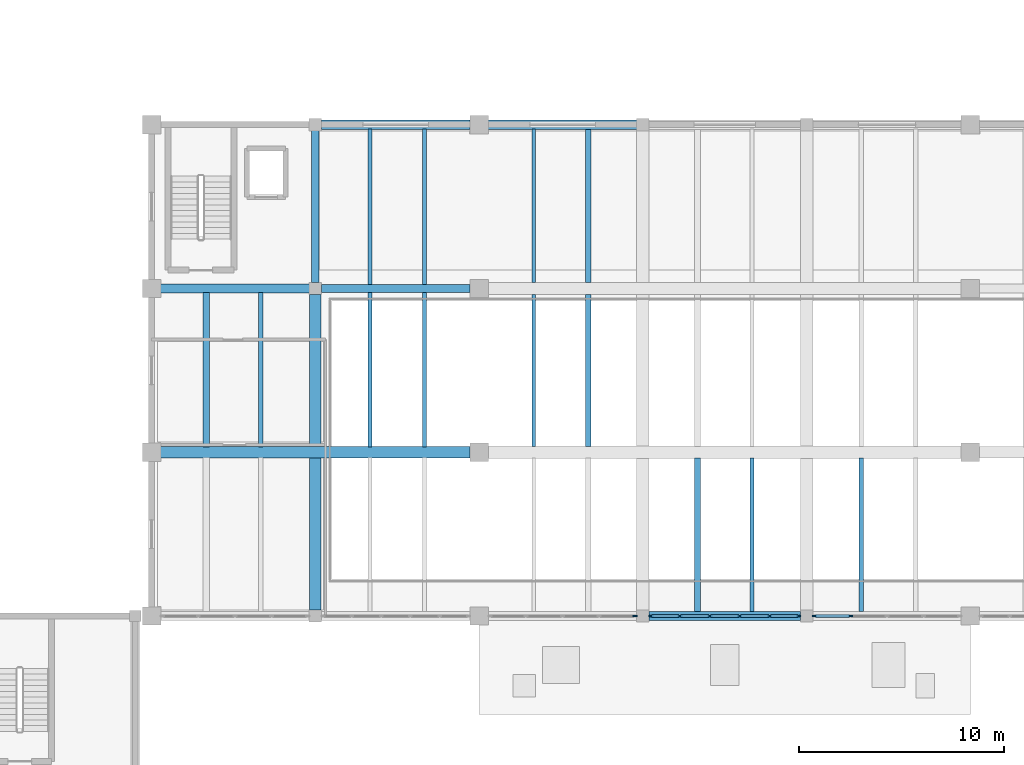
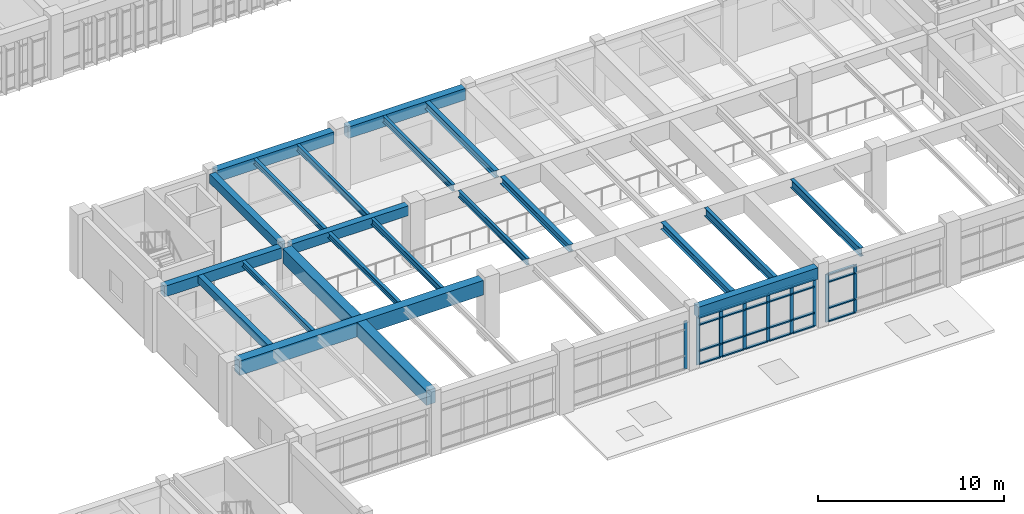
# One storey, part 11 of 67: 33 members, 21 beams, 3 elements without a shape of their own.
"""IFC4 building model written with IfcOpenShell, lengths in metres."""

import ifcopenshell
import ifcopenshell.guid

model = None  # the IFC model being written
_history = None  # IfcOwnerHistory: only IFC2X3 demands one
_inside = {}  # id of a spatial element -> (the spatial element, [elements in it])
_under = {}  # id of a project, library or spatial element -> (it, [spatial elements below it])
_declared = {}  # id of a project -> (the project, [libraries it declares])
_typed = {}  # id of a type object -> (the type object, [elements of that type])
_made_of = {}  # id of a material, layer set ... -> (it, [elements and type objects made of it])


def new_model(schema):
    """Start an empty IFC model of exactly this schema.

    Asked for "IFC4X3", IfcOpenShell would pick the latest addendum, in which some entities
    have other attributes; the version numbers below select the first issue.
    IFC2X3 requires an IfcOwnerHistory on every rooted entity: one is made here for all.
    """
    global model, _history
    if schema == "IFC4X3":
        model = ifcopenshell.file(schema_version=(4, 3, 0, 0))
    else:
        model = ifcopenshell.file(schema=schema)
    _inside.clear()
    _under.clear()
    _declared.clear()
    _typed.clear()
    _made_of.clear()
    _history = None
    if model.schema == "IFC2X3":
        org = make("IfcOrganization", Name="unknown")
        user = make(
            "IfcPersonAndOrganization",
            ThePerson=make("IfcPerson", FamilyName="unknown"),
            TheOrganization=org,
        )
        app = make(
            "IfcApplication",
            ApplicationDeveloper=org,
            Version="unknown",
            ApplicationFullName="unknown",
            ApplicationIdentifier="unknown",
        )
        _history = make(
            "IfcOwnerHistory",
            OwningUser=user,
            OwningApplication=app,
            ChangeAction="ADDED",
            CreationDate=0,
        )
    return model


def make(cls, **values):
    """One entity of the class cls with the attributes given. An attribute that is None is left unset."""
    return model.create_entity(
        cls, **{name: value for name, value in values.items() if value is not None}
    )


def rooted(cls, **values):
    """An entity with a GlobalId (a new one), such as an element, a storey or a relation."""
    return make(cls, GlobalId=ifcopenshell.guid.new(), OwnerHistory=_history, **values)


def si_unit(unit_type, name, prefix=None):
    """IfcSIUnit, for example si_unit("LENGTHUNIT", "METRE", prefix="MILLI")."""
    return make("IfcSIUnit", UnitType=unit_type, Prefix=prefix, Name=name)


def assignment(units):
    """IfcUnitAssignment: the units of a project."""
    return None if units is None else make("IfcUnitAssignment", Units=units)


def point(xyz):
    """IfcCartesianPoint."""
    return None if xyz is None else make("IfcCartesianPoint", Coordinates=xyz)


def direction(xyz):
    """IfcDirection."""
    return None if xyz is None else make("IfcDirection", DirectionRatios=xyz)


def frame(location, z_axis=None, x_axis=None):
    """IfcAxis2Placement3D, a coordinate frame: its origin and axes. An axis left out is left unset."""
    return make(
        "IfcAxis2Placement3D",
        Location=point(location),
        Axis=direction(z_axis),
        RefDirection=direction(x_axis),
    )


def frame_2d(location, x_axis=None):
    """IfcAxis2Placement2D, a coordinate frame in the plane: its origin and x axis."""
    return make(
        "IfcAxis2Placement2D", Location=point(location), RefDirection=direction(x_axis)
    )


def origin():
    """The frame at (0, 0, 0) with its axes left unset."""
    return frame((0.0, 0.0, 0.0))


def origin_2d():
    """The frame at (0, 0) in the plane with its x axis left unset."""
    return frame_2d((0.0, 0.0))


def place(relative_to, where):
    """IfcLocalPlacement: puts the frame where relative to a parent placement (None: the world)."""
    return make(
        "IfcLocalPlacement", PlacementRelTo=relative_to, RelativePlacement=where
    )


def context(
    kind, dimensions, precision=None, world=None, true_north=None, identifier=None
):
    """IfcGeometricRepresentationContext, for example the 3D "Model" context."""
    return make(
        "IfcGeometricRepresentationContext",
        ContextIdentifier=identifier,
        ContextType=kind,
        CoordinateSpaceDimension=dimensions,
        Precision=precision,
        WorldCoordinateSystem=world,
        TrueNorth=true_north,
    )


def subcontext(parent, identifier, kind, view, scale=None):
    """IfcGeometricRepresentationSubContext, for example "Body" below "Model"."""
    return make(
        "IfcGeometricRepresentationSubContext",
        ContextIdentifier=identifier,
        ContextType=kind,
        ParentContext=parent,
        TargetScale=scale,
        TargetView=view,
    )


def project(units=None, contexts=None):
    """IfcProject with its units and contexts."""
    return rooted(
        "IfcProject",
        Name="project",
        RepresentationContexts=contexts,
        UnitsInContext=assignment(units),
    )


def spatial(cls, under=None, at=None, **own):
    """A site, building, storey or space (cls), placed at a placement, below another one or the project."""
    s = rooted(cls, ObjectPlacement=at, **own)
    if under is not None:
        _under.setdefault(under.id(), (under, []))[1].append(s)
    return s


def profile(cls, at=None, kind="AREA", **sizes):
    """A parametric profile (cls). Its sizes go by their IFC names, for example OverallWidth=200.0."""
    return make(cls, ProfileType=kind, Position=at, **sizes)


def rectangle(**sizes):
    """IfcRectangleProfileDef."""
    return profile("IfcRectangleProfileDef", **sizes)


def i_section(**sizes):
    """IfcIShapeProfileDef."""
    return profile("IfcIShapeProfileDef", **sizes)


def extrude(swept, where, along, depth):
    """IfcExtrudedAreaSolid: the profile swept, set in the frame where, extruded along a direction by depth."""
    return make(
        "IfcExtrudedAreaSolid",
        SweptArea=swept,
        Position=where,
        ExtrudedDirection=direction(along),
        Depth=depth,
    )


def shape(context_of_items, identifier, shape_type, items):
    """IfcShapeRepresentation: the items that make up one representation, for example the "Body"."""
    return make(
        "IfcShapeRepresentation",
        ContextOfItems=context_of_items,
        RepresentationIdentifier=identifier,
        RepresentationType=shape_type,
        Items=items,
    )


def material(Name=None, Category=None):
    """IfcMaterial."""
    return make("IfcMaterial", Name=Name, Category=Category)


def material_profile(
    of_material, cross_section, Name=None, Category=None, Priority=None
):
    """IfcMaterialProfile: a cross section and its material."""
    return make(
        "IfcMaterialProfile",
        Name=Name,
        Material=of_material,
        Profile=cross_section,
        Priority=Priority,
        Category=Category,
    )


def profile_set(profiles, Name=None, composite=None):
    """IfcMaterialProfileSet."""
    return make(
        "IfcMaterialProfileSet",
        Name=Name,
        MaterialProfiles=profiles,
        CompositeProfile=composite,
    )


def made_of(thing, what):
    """Note that an element or type object is made of a material, layer set ...; save() writes the relation."""
    if what is not None:
        _made_of.setdefault(what.id(), (what, []))[1].append(thing)
    return thing


def type_object(cls, material=None, **own):
    """A type object (cls), such as IfcWallType, which elements share."""
    return made_of(rooted(cls, **own), material)


def element(
    cls,
    number,
    at=None,
    inside=None,
    cuts=None,
    type_object=None,
    material=None,
    context=None,
    identifier="Body",
    shape_type=None,
    held_by="IfcProductDefinitionShape",
    body=None,
    shapes=None,
    **own,
):
    """One element of the class cls, such as IfcWall. Its Tag is "e" and its number.

    at: its placement. inside: the storey or other place that contains it. cuts: it is an
    opening in that element (IfcRelVoidsElement). A single representation is given by context,
    identifier, shape_type and body (its items); several are given by shapes. held_by: the class
    of the entity that holds the representations. save() writes the other relations.
    """
    e = rooted(cls, Tag="e%d" % number, ObjectPlacement=at, **own)
    if body is not None:
        shapes = [shape(context, identifier, shape_type, body)]
    if shapes is not None:
        e.Representation = make(held_by, Representations=shapes)
    if inside is not None:
        _inside.setdefault(inside.id(), (inside, []))[1].append(e)
    if cuts is not None:
        rooted(
            "IfcRelVoidsElement", RelatingBuildingElement=cuts, RelatedOpeningElement=e
        )
    if type_object is not None:
        _typed.setdefault(type_object.id(), (type_object, []))[1].append(e)
    return made_of(e, material)


def aggregate(whole, parts):
    """IfcRelAggregates: a whole, such as a stair, and the parts it consists of."""
    return rooted("IfcRelAggregates", RelatingObject=whole, RelatedObjects=parts)


def save(model, path):
    """Write the relations noted so far, then the file.

    IfcRelAggregates (storeys below a building ...), IfcRelContainedInSpatialStructure (elements
    in a storey), IfcRelDefinesByType, IfcRelAssociatesMaterial and IfcRelDeclares: one each for
    every whole, place, type object, material and project.
    """
    for whole, parts in _under.values():
        aggregate(whole, parts)
    for where, things in _inside.values():
        rooted(
            "IfcRelContainedInSpatialStructure",
            RelatedElements=things,
            RelatingStructure=where,
        )
    for kind, things in _typed.values():
        rooted("IfcRelDefinesByType", RelatedObjects=things, RelatingType=kind)
    for what, things in _made_of.values():
        rooted("IfcRelAssociatesMaterial", RelatedObjects=things, RelatingMaterial=what)
    for by, libraries in _declared.values():
        rooted("IfcRelDeclares", RelatingContext=by, RelatedDefinitions=libraries)
    model.write(path)


model = new_model("IFC4")

# Units and contexts
model_context = context("Model", 3, precision=1e-05, world=origin(), true_north=direction((0.0, 1.0)))
body_context = subcontext(model_context, "Body", "Model", "MODEL_VIEW")
ifc_project = project(units=[si_unit("LENGTHUNIT", "METRE"), si_unit("AREAUNIT", "SQUARE_METRE"), si_unit("VOLUMEUNIT", "CUBIC_METRE"), si_unit("PLANEANGLEUNIT", "RADIAN"), si_unit("MASSUNIT", "GRAM", prefix="KILO")], contexts=[model_context])

# Site, building, storey
site_placement = place(None, origin())
site = spatial("IfcSite", under=ifc_project, at=site_placement, CompositionType="ELEMENT")
building_placement = place(site_placement, origin())
building = spatial("IfcBuilding", under=site, at=building_placement, Name="Tlaxcora Railside Police Headquarters", CompositionType="ELEMENT")
storey_placement = place(building_placement, frame((0.0, 0.0, 4.800048828125)))
storey = spatial("IfcBuildingStorey", under=building, at=storey_placement, Name="L01", CompositionType="ELEMENT", Elevation=4.800048828125)

# Curtain wall, members
ifc_material_1 = material(Name="Thermally broken low-E insulated glazing", Category="glass")
curtain_wall_type_1 = type_object("IfcCurtainWallType", Name="Unitised Curtain Wall Assembly CW-23", PredefinedType="NOTDEFINED", material=ifc_material_1)
curtain_wall_1_placement = place(storey_placement, origin())
curtain_wall_1 = element("IfcCurtainWall", 1, at=curtain_wall_1_placement, inside=storey, type_object=curtain_wall_type_1, Name="V1 L01 curtain wall 8", PredefinedType="NOTDEFINED")
ifc_material_2 = material(Name="Anodised aluminium framing", Category="aluminium")
ifc_material_profile_1 = material_profile(ifc_material_2, rectangle(XDim=0.080078125, YDim=0.219970703125, at=origin_2d()), Name="AL80X220")
ifc_profile_set_1 = profile_set([ifc_material_profile_1], Name="Anodised aluminium framing")
member_type_1 = type_object("IfcMemberType", Name="Curtain Wall Mullion CW-31", PredefinedType="MULLION", material=ifc_profile_set_1)
member_1_placement = place(storey_placement, frame((70.389892578125, 36.0, 0.0), z_axis=(0.0, 0.0, 1.0), x_axis=(0.0, 1.0, 0.0)))
member_1 = element("IfcMember", 2, at=member_1_placement, type_object=member_type_1, Name="CW mullion 1", PredefinedType="MULLION", context=body_context, shape_type="SweptSolid", body=[
    extrude(rectangle(XDim=0.080078125, YDim=0.219970703125, at=origin_2d()), origin(), (0.0, 0.0, 1.0), 3.139892578125),
])
member_2_placement = place(storey_placement, frame((71.81005859375, 36.0, 0.0), z_axis=(0.0, 0.0, 1.0), x_axis=(0.0, 1.0, 0.0)))
member_2 = element("IfcMember", 3, at=member_2_placement, type_object=member_type_1, Name="CW mullion 2", PredefinedType="MULLION", context=body_context, shape_type="SweptSolid", body=[
    extrude(rectangle(XDim=0.080078125, YDim=0.219970703125, at=origin_2d()), origin(), (0.0, 0.0, 1.0), 3.139892578125),
])
member_3_placement = place(storey_placement, frame((73.27001953125, 36.0, 0.0), z_axis=(0.0, 0.0, 1.0), x_axis=(0.0, 1.0, 0.0)))
member_3 = element("IfcMember", 4, at=member_3_placement, type_object=member_type_1, Name="CW mullion 3", PredefinedType="MULLION", context=body_context, shape_type="SweptSolid", body=[
    extrude(rectangle(XDim=0.080078125, YDim=0.219970703125, at=origin_2d()), origin(), (0.0, 0.0, 1.0), 3.139892578125),
])
member_4_placement = place(storey_placement, frame((74.72998046875, 36.0, 0.0), z_axis=(0.0, 0.0, 1.0), x_axis=(0.0, 1.0, 0.0)))
member_4 = element("IfcMember", 5, at=member_4_placement, type_object=member_type_1, Name="CW mullion 4", PredefinedType="MULLION", context=body_context, shape_type="SweptSolid", body=[
    extrude(rectangle(XDim=0.080078125, YDim=0.219970703125, at=origin_2d()), origin(), (0.0, 0.0, 1.0), 3.139892578125),
])
member_5_placement = place(storey_placement, frame((76.18994140625, 36.0, 0.0), z_axis=(0.0, 0.0, 1.0), x_axis=(0.0, 1.0, 0.0)))
member_5 = element("IfcMember", 6, at=member_5_placement, type_object=member_type_1, Name="CW mullion 5", PredefinedType="MULLION", context=body_context, shape_type="SweptSolid", body=[
    extrude(rectangle(XDim=0.080078125, YDim=0.219970703125, at=origin_2d()), origin(), (0.0, 0.0, 1.0), 3.139892578125),
])
member_6_placement = place(storey_placement, frame((77.610107421875, 36.0, 0.0), z_axis=(0.0, 0.0, 1.0), x_axis=(0.0, 1.0, 0.0)))
member_6 = element("IfcMember", 7, at=member_6_placement, type_object=member_type_1, Name="CW mullion 6", PredefinedType="MULLION", context=body_context, shape_type="SweptSolid", body=[
    extrude(rectangle(XDim=0.080078125, YDim=0.219970703125, at=origin_2d()), origin(), (0.0, 0.0, 1.0), 3.139892578125),
])

curtain_wall_type_2 = type_object("IfcCurtainWallType", Name="Unitised Curtain Wall Assembly CW-38", PredefinedType="NOTDEFINED", material=ifc_material_1)
curtain_wall_2_placement = place(storey_placement, origin())
curtain_wall_2 = element("IfcCurtainWall", 8, at=curtain_wall_2_placement, inside=storey, type_object=curtain_wall_type_2, Name="V1 L01 curtain wall 9", PredefinedType="NOTDEFINED")
ifc_material_profile_2 = material_profile(ifc_material_2, rectangle(XDim=0.074951171875, YDim=0.205078125, at=origin_2d()), Name="AL75X205")
ifc_profile_set_2 = profile_set([ifc_material_profile_2], Name="Anodised aluminium framing")
member_type_2 = type_object("IfcMemberType", Name="Curtain Wall Mullion CW-32", PredefinedType="MULLION", material=ifc_profile_set_2)
member_7_placement = place(storey_placement, frame((78.387451171875, 36.0, 0.0), z_axis=(0.0, 0.0, 1.0), x_axis=(0.0, 1.0, 0.0)))
member_7 = element("IfcMember", 9, at=member_7_placement, type_object=member_type_2, Name="CW mullion 1", PredefinedType="MULLION", context=body_context, shape_type="SweptSolid", body=[
    extrude(rectangle(XDim=0.074951171875, YDim=0.205078125, at=origin_2d()), origin(), (0.0, 0.0, 1.0), 3.139892578125),
])
member_8_placement = place(storey_placement, frame((80.137451171875, 36.0, 0.0), z_axis=(0.0, 0.0, 1.0), x_axis=(0.0, 1.0, 0.0)))
member_8 = element("IfcMember", 10, at=member_8_placement, type_object=member_type_2, Name="CW mullion 2", PredefinedType="MULLION", context=body_context, shape_type="SweptSolid", body=[
    extrude(rectangle(XDim=0.074951171875, YDim=0.205078125, at=origin_2d()), origin(), (0.0, 0.0, 1.0), 3.139892578125),
])

# Curtain wall, member
curtain_wall_type_3 = type_object("IfcCurtainWallType", Name="Unitised Curtain Wall Assembly CW-83", PredefinedType="NOTDEFINED", material=ifc_material_1)
curtain_wall_3_placement = place(storey_placement, origin())
curtain_wall_3 = element("IfcCurtainWall", 11, at=curtain_wall_3_placement, inside=storey, type_object=curtain_wall_type_3, Name="V1 L01 curtain wall 7", PredefinedType="NOTDEFINED")
ifc_material_profile_3 = material_profile(ifc_material_2, rectangle(XDim=0.080078125, YDim=0.2099609375, at=origin_2d()), Name="AL80X210")
ifc_profile_set_3 = profile_set([ifc_material_profile_3], Name="Anodised aluminium framing")
member_type_3 = type_object("IfcMemberType", Name="Curtain Wall Mullion CW-76", PredefinedType="MULLION", material=ifc_profile_set_3)
member_9_placement = place(storey_placement, frame((69.610107421875, 36.0, 0.0), z_axis=(0.0, 0.0, 1.0), x_axis=(0.0, 1.0, 0.0)))
member_9 = element("IfcMember", 12, at=member_9_placement, type_object=member_type_3, Name="CW mullion 5", PredefinedType="MULLION", context=body_context, shape_type="SweptSolid", body=[
    extrude(rectangle(XDim=0.080078125, YDim=0.2099609375, at=origin_2d()), origin(), (0.0, 0.0, 1.0), 3.139892578125),
])
aggregate(curtain_wall_3, [member_9])

# Member
ifc_material_profile_4 = material_profile(ifc_material_2, rectangle(XDim=0.155029296875, YDim=0.074951171875, at=origin_2d()), Name="AL75X155")
ifc_profile_set_4 = profile_set([ifc_material_profile_4], Name="Anodised aluminium framing")
member_type_4 = type_object("IfcMemberType", Name="Curtain Wall Transom CW-30", PredefinedType="USERDEFINED", material=ifc_profile_set_4)
member_10_placement = place(storey_placement, frame((78.425048828125, 36.0, 0.037353515625), z_axis=(1.0, 0.0, 0.0), x_axis=(0.0, 1.0, 0.0)))
member_10 = element("IfcMember", 13, at=member_10_placement, type_object=member_type_4, Name="CW transom 1.1", ObjectType="TRANSOM", PredefinedType="USERDEFINED", context=body_context, shape_type="SweptSolid", body=[
    extrude(rectangle(XDim=0.155029296875, YDim=0.074951171875, at=origin_2d()), origin(), (0.0, 0.0, 1.0), 1.675048828125),
])

member_11_placement = place(storey_placement, frame((78.425048828125, 36.0, 0.89990234375), z_axis=(1.0, 0.0, 0.0), x_axis=(0.0, 1.0, 0.0)))
member_11 = element("IfcMember", 14, at=member_11_placement, type_object=member_type_4, Name="CW transom 1.2", ObjectType="TRANSOM", PredefinedType="USERDEFINED", context=body_context, shape_type="SweptSolid", body=[
    extrude(rectangle(XDim=0.155029296875, YDim=0.074951171875, at=origin_2d()), origin(), (0.0, 0.0, 1.0), 1.675048828125),
])

member_12_placement = place(storey_placement, frame((78.425048828125, 36.0, 2.60986328125), z_axis=(1.0, 0.0, 0.0), x_axis=(0.0, 1.0, 0.0)))
member_12 = element("IfcMember", 15, at=member_12_placement, type_object=member_type_4, Name="CW transom 1.3", ObjectType="TRANSOM", PredefinedType="USERDEFINED", context=body_context, shape_type="SweptSolid", body=[
    extrude(rectangle(XDim=0.155029296875, YDim=0.074951171875, at=origin_2d()), origin(), (0.0, 0.0, 1.0), 1.675048828125),
])

member_13_placement = place(storey_placement, frame((78.425048828125, 36.0, 3.1025390625), z_axis=(1.0, 0.0, 0.0), x_axis=(0.0, 1.0, 0.0)))
member_13 = element("IfcMember", 16, at=member_13_placement, type_object=member_type_4, Name="CW transom 1.4", ObjectType="TRANSOM", PredefinedType="USERDEFINED", context=body_context, shape_type="SweptSolid", body=[
    extrude(rectangle(XDim=0.155029296875, YDim=0.074951171875, at=origin_2d()), origin(), (0.0, 0.0, 1.0), 1.675048828125),
])

aggregate(curtain_wall_2, [member_7, member_8, member_10, member_11, member_12, member_13])

ifc_material_profile_5 = material_profile(ifc_material_2, rectangle(XDim=0.1650390625, YDim=0.080078125, at=origin_2d()), Name="AL80X165")
ifc_profile_set_5 = profile_set([ifc_material_profile_5], Name="Anodised aluminium framing")
member_type_5 = type_object("IfcMemberType", Name="Curtain Wall Transom CW-62", PredefinedType="USERDEFINED", material=ifc_profile_set_5)
member_14_placement = place(storey_placement, frame((70.429931640625, 36.0, 0.0400390625), z_axis=(1.0, 0.0, 0.0), x_axis=(0.0, 1.0, 0.0)))
member_14 = element("IfcMember", 17, at=member_14_placement, type_object=member_type_5, Name="CW transom 1.1", ObjectType="TRANSOM", PredefinedType="USERDEFINED", context=body_context, shape_type="SweptSolid", body=[
    extrude(rectangle(XDim=0.1650390625, YDim=0.080078125, at=origin_2d()), origin(), (0.0, 0.0, 1.0), 1.340087890625),
])

member_15_placement = place(storey_placement, frame((70.429931640625, 36.0, 0.89990234375), z_axis=(1.0, 0.0, 0.0), x_axis=(0.0, 1.0, 0.0)))
member_15 = element("IfcMember", 18, at=member_15_placement, type_object=member_type_5, Name="CW transom 1.2", ObjectType="TRANSOM", PredefinedType="USERDEFINED", context=body_context, shape_type="SweptSolid", body=[
    extrude(rectangle(XDim=0.1650390625, YDim=0.080078125, at=origin_2d()), origin(), (0.0, 0.0, 1.0), 1.340087890625),
])

member_16_placement = place(storey_placement, frame((70.429931640625, 36.0, 2.60986328125), z_axis=(1.0, 0.0, 0.0), x_axis=(0.0, 1.0, 0.0)))
member_16 = element("IfcMember", 19, at=member_16_placement, type_object=member_type_5, Name="CW transom 1.3", ObjectType="TRANSOM", PredefinedType="USERDEFINED", context=body_context, shape_type="SweptSolid", body=[
    extrude(rectangle(XDim=0.1650390625, YDim=0.080078125, at=origin_2d()), origin(), (0.0, 0.0, 1.0), 1.340087890625),
])

member_17_placement = place(storey_placement, frame((70.429931640625, 36.0, 3.099853515625), z_axis=(1.0, 0.0, 0.0), x_axis=(0.0, 1.0, 0.0)))
member_17 = element("IfcMember", 20, at=member_17_placement, type_object=member_type_5, Name="CW transom 1.4", ObjectType="TRANSOM", PredefinedType="USERDEFINED", context=body_context, shape_type="SweptSolid", body=[
    extrude(rectangle(XDim=0.1650390625, YDim=0.080078125, at=origin_2d()), origin(), (0.0, 0.0, 1.0), 1.340087890625),
])

member_18_placement = place(storey_placement, frame((71.85009765625, 36.0, 0.0400390625), z_axis=(1.0, 0.0, 0.0), x_axis=(0.0, 1.0, 0.0)))
member_18 = element("IfcMember", 21, at=member_18_placement, type_object=member_type_5, Name="CW transom 2.1", ObjectType="TRANSOM", PredefinedType="USERDEFINED", context=body_context, shape_type="SweptSolid", body=[
    extrude(rectangle(XDim=0.1650390625, YDim=0.080078125, at=origin_2d()), origin(), (0.0, 0.0, 1.0), 1.3798828125),
])

member_19_placement = place(storey_placement, frame((71.85009765625, 36.0, 0.89990234375), z_axis=(1.0, 0.0, 0.0), x_axis=(0.0, 1.0, 0.0)))
member_19 = element("IfcMember", 22, at=member_19_placement, type_object=member_type_5, Name="CW transom 2.2", ObjectType="TRANSOM", PredefinedType="USERDEFINED", context=body_context, shape_type="SweptSolid", body=[
    extrude(rectangle(XDim=0.1650390625, YDim=0.080078125, at=origin_2d()), origin(), (0.0, 0.0, 1.0), 1.3798828125),
])

member_20_placement = place(storey_placement, frame((71.85009765625, 36.0, 2.60986328125), z_axis=(1.0, 0.0, 0.0), x_axis=(0.0, 1.0, 0.0)))
member_20 = element("IfcMember", 23, at=member_20_placement, type_object=member_type_5, Name="CW transom 2.3", ObjectType="TRANSOM", PredefinedType="USERDEFINED", context=body_context, shape_type="SweptSolid", body=[
    extrude(rectangle(XDim=0.1650390625, YDim=0.080078125, at=origin_2d()), origin(), (0.0, 0.0, 1.0), 1.3798828125),
])

member_21_placement = place(storey_placement, frame((71.85009765625, 36.0, 3.099853515625), z_axis=(1.0, 0.0, 0.0), x_axis=(0.0, 1.0, 0.0)))
member_21 = element("IfcMember", 24, at=member_21_placement, type_object=member_type_5, Name="CW transom 2.4", ObjectType="TRANSOM", PredefinedType="USERDEFINED", context=body_context, shape_type="SweptSolid", body=[
    extrude(rectangle(XDim=0.1650390625, YDim=0.080078125, at=origin_2d()), origin(), (0.0, 0.0, 1.0), 1.3798828125),
])

member_22_placement = place(storey_placement, frame((73.31005859375, 36.0, 0.0400390625), z_axis=(1.0, 0.0, 0.0), x_axis=(0.0, 1.0, 0.0)))
member_22 = element("IfcMember", 25, at=member_22_placement, type_object=member_type_5, Name="CW transom 3.1", ObjectType="TRANSOM", PredefinedType="USERDEFINED", context=body_context, shape_type="SweptSolid", body=[
    extrude(rectangle(XDim=0.1650390625, YDim=0.080078125, at=origin_2d()), origin(), (0.0, 0.0, 1.0), 1.3798828125),
])

member_23_placement = place(storey_placement, frame((73.31005859375, 36.0, 0.89990234375), z_axis=(1.0, 0.0, 0.0), x_axis=(0.0, 1.0, 0.0)))
member_23 = element("IfcMember", 26, at=member_23_placement, type_object=member_type_5, Name="CW transom 3.2", ObjectType="TRANSOM", PredefinedType="USERDEFINED", context=body_context, shape_type="SweptSolid", body=[
    extrude(rectangle(XDim=0.1650390625, YDim=0.080078125, at=origin_2d()), origin(), (0.0, 0.0, 1.0), 1.3798828125),
])

member_24_placement = place(storey_placement, frame((73.31005859375, 36.0, 2.60986328125), z_axis=(1.0, 0.0, 0.0), x_axis=(0.0, 1.0, 0.0)))
member_24 = element("IfcMember", 27, at=member_24_placement, type_object=member_type_5, Name="CW transom 3.3", ObjectType="TRANSOM", PredefinedType="USERDEFINED", context=body_context, shape_type="SweptSolid", body=[
    extrude(rectangle(XDim=0.1650390625, YDim=0.080078125, at=origin_2d()), origin(), (0.0, 0.0, 1.0), 1.3798828125),
])

member_25_placement = place(storey_placement, frame((73.31005859375, 36.0, 3.099853515625), z_axis=(1.0, 0.0, 0.0), x_axis=(0.0, 1.0, 0.0)))
member_25 = element("IfcMember", 28, at=member_25_placement, type_object=member_type_5, Name="CW transom 3.4", ObjectType="TRANSOM", PredefinedType="USERDEFINED", context=body_context, shape_type="SweptSolid", body=[
    extrude(rectangle(XDim=0.1650390625, YDim=0.080078125, at=origin_2d()), origin(), (0.0, 0.0, 1.0), 1.3798828125),
])

member_26_placement = place(storey_placement, frame((74.77001953125, 36.0, 0.0400390625), z_axis=(1.0, 0.0, 0.0), x_axis=(0.0, 1.0, 0.0)))
member_26 = element("IfcMember", 29, at=member_26_placement, type_object=member_type_5, Name="CW transom 4.1", ObjectType="TRANSOM", PredefinedType="USERDEFINED", context=body_context, shape_type="SweptSolid", body=[
    extrude(rectangle(XDim=0.1650390625, YDim=0.080078125, at=origin_2d()), origin(), (0.0, 0.0, 1.0), 1.3798828125),
])

member_27_placement = place(storey_placement, frame((74.77001953125, 36.0, 0.89990234375), z_axis=(1.0, 0.0, 0.0), x_axis=(0.0, 1.0, 0.0)))
member_27 = element("IfcMember", 30, at=member_27_placement, type_object=member_type_5, Name="CW transom 4.2", ObjectType="TRANSOM", PredefinedType="USERDEFINED", context=body_context, shape_type="SweptSolid", body=[
    extrude(rectangle(XDim=0.1650390625, YDim=0.080078125, at=origin_2d()), origin(), (0.0, 0.0, 1.0), 1.3798828125),
])

member_28_placement = place(storey_placement, frame((74.77001953125, 36.0, 2.60986328125), z_axis=(1.0, 0.0, 0.0), x_axis=(0.0, 1.0, 0.0)))
member_28 = element("IfcMember", 31, at=member_28_placement, type_object=member_type_5, Name="CW transom 4.3", ObjectType="TRANSOM", PredefinedType="USERDEFINED", context=body_context, shape_type="SweptSolid", body=[
    extrude(rectangle(XDim=0.1650390625, YDim=0.080078125, at=origin_2d()), origin(), (0.0, 0.0, 1.0), 1.3798828125),
])

member_29_placement = place(storey_placement, frame((74.77001953125, 36.0, 3.099853515625), z_axis=(1.0, 0.0, 0.0), x_axis=(0.0, 1.0, 0.0)))
member_29 = element("IfcMember", 32, at=member_29_placement, type_object=member_type_5, Name="CW transom 4.4", ObjectType="TRANSOM", PredefinedType="USERDEFINED", context=body_context, shape_type="SweptSolid", body=[
    extrude(rectangle(XDim=0.1650390625, YDim=0.080078125, at=origin_2d()), origin(), (0.0, 0.0, 1.0), 1.3798828125),
])

member_30_placement = place(storey_placement, frame((76.22998046875, 36.0, 0.0400390625), z_axis=(1.0, 0.0, 0.0), x_axis=(0.0, 1.0, 0.0)))
member_30 = element("IfcMember", 33, at=member_30_placement, type_object=member_type_5, Name="CW transom 5.1", ObjectType="TRANSOM", PredefinedType="USERDEFINED", context=body_context, shape_type="SweptSolid", body=[
    extrude(rectangle(XDim=0.1650390625, YDim=0.080078125, at=origin_2d()), origin(), (0.0, 0.0, 1.0), 1.340087890625),
])

member_31_placement = place(storey_placement, frame((76.22998046875, 36.0, 0.89990234375), z_axis=(1.0, 0.0, 0.0), x_axis=(0.0, 1.0, 0.0)))
member_31 = element("IfcMember", 34, at=member_31_placement, type_object=member_type_5, Name="CW transom 5.2", ObjectType="TRANSOM", PredefinedType="USERDEFINED", context=body_context, shape_type="SweptSolid", body=[
    extrude(rectangle(XDim=0.1650390625, YDim=0.080078125, at=origin_2d()), origin(), (0.0, 0.0, 1.0), 1.340087890625),
])

member_32_placement = place(storey_placement, frame((76.22998046875, 36.0, 2.60986328125), z_axis=(1.0, 0.0, 0.0), x_axis=(0.0, 1.0, 0.0)))
member_32 = element("IfcMember", 35, at=member_32_placement, type_object=member_type_5, Name="CW transom 5.3", ObjectType="TRANSOM", PredefinedType="USERDEFINED", context=body_context, shape_type="SweptSolid", body=[
    extrude(rectangle(XDim=0.1650390625, YDim=0.080078125, at=origin_2d()), origin(), (0.0, 0.0, 1.0), 1.340087890625),
])

member_33_placement = place(storey_placement, frame((76.22998046875, 36.0, 3.099853515625), z_axis=(1.0, 0.0, 0.0), x_axis=(0.0, 1.0, 0.0)))
member_33 = element("IfcMember", 36, at=member_33_placement, type_object=member_type_5, Name="CW transom 5.4", ObjectType="TRANSOM", PredefinedType="USERDEFINED", context=body_context, shape_type="SweptSolid", body=[
    extrude(rectangle(XDim=0.1650390625, YDim=0.080078125, at=origin_2d()), origin(), (0.0, 0.0, 1.0), 1.340087890625),
])

aggregate(curtain_wall_1, [member_1, member_2, member_3, member_4, member_5, member_6, member_14, member_15, member_16, member_17, member_18, member_19, member_20, member_21, member_22, member_23, member_24, member_25, member_26, member_27, member_28, member_29, member_30, member_31, member_32, member_33])

# Beams
ifc_material_3 = material(Name="Concrete C40/50", Category="concrete")
ifc_material_profile_6 = material_profile(ifc_material_3, rectangle(XDim=0.449951171875, YDim=0.75, at=origin_2d()), Name="RC450X750")
ifc_profile_set_6 = profile_set([ifc_material_profile_6], Name="Concrete C40/50")
beam_type_1 = type_object("IfcBeamType", Name="Perimeter Spandrel Beam BM-86", PredefinedType="SPANDREL", material=ifc_profile_set_6)
beam_1_placement = place(storey_placement, frame((70.2900390625, 36.0, 3.534912109375), z_axis=(1.0, 0.0, 0.0), x_axis=(0.0, 1.0, 0.0)))
element("IfcBeam", 37, at=beam_1_placement, inside=storey, type_object=beam_type_1, Name="V1 L01 X-girder Y=36.0", PredefinedType="SPANDREL", context=body_context, shape_type="SweptSolid", body=[
    extrude(rectangle(XDim=0.449951171875, YDim=0.75, at=origin_2d()), origin(), (0.0, 0.0, 1.0), 7.419921875),
])
for number, where, z_axis, x_axis, name in (
    (38, (54.2900390625, 60.0, 3.534912109375), (1.0, 0.0, 0.0), (0.0, 1.0, 0.0), "V1 L01 X-girder Y=60.0"),
    (39, (62.43994140625, 60.0, 3.534912109375), (1.0, 0.0, 0.0), (0.0, 1.0, 0.0), "V1 L01 X-girder Y=60.0"),
):
    element("IfcBeam", number, at=place(storey_placement, frame(where, z_axis=z_axis, x_axis=x_axis)), inside=storey, type_object=beam_type_1, Name=name, PredefinedType="SPANDREL", context=body_context, shape_type="SweptSolid", body=[
        extrude(rectangle(XDim=0.449951171875, YDim=0.75, at=origin_2d()), origin(), (0.0, 0.0, 1.0), 7.27001953125),
    ])
ifc_material_profile_7 = material_profile(ifc_material_3, rectangle(XDim=0.3798828125, YDim=0.60009765625, at=origin_2d()), Name="RC380X600")
ifc_profile_set_7 = profile_set([ifc_material_profile_7], Name="Concrete C40/50")
beam_type_2 = type_object("IfcBeamType", Name="Primary Frame Girder BM-22", PredefinedType="BEAM", material=ifc_profile_set_7)
beam_2_placement = place(storey_placement, frame((54.0, 52.2900390625, 3.60986328125), z_axis=(0.0, 1.0, 0.0), x_axis=(-1.0, 0.0, 0.0)))
element("IfcBeam", 40, at=beam_2_placement, inside=storey, type_object=beam_type_2, Name="V1 L01 Y-girder X=54.0", PredefinedType="BEAM", context=body_context, shape_type="SweptSolid", body=[
    extrude(rectangle(XDim=0.3798828125, YDim=0.60009765625, at=origin_2d()), origin(), (0.0, 0.0, 1.0), 7.419921875),
])
ifc_material_profile_8 = material_profile(ifc_material_3, rectangle(XDim=0.419921875, YDim=0.699951171875, at=origin_2d()), Name="RC420X700")
ifc_profile_set_8 = profile_set([ifc_material_profile_8], Name="Concrete C40/50")
beam_type_3 = type_object("IfcBeamType", Name="Primary Frame Girder BM-35", PredefinedType="BEAM", material=ifc_profile_set_8)
beam_3_placement = place(storey_placement, frame((46.43994140625, 52.0, 3.56005859375), z_axis=(1.0, 0.0, 0.0), x_axis=(0.0, 1.0, 0.0)))
element("IfcBeam", 41, at=beam_3_placement, inside=storey, type_object=beam_type_3, Name="V1 L01 X-girder Y=52.0", PredefinedType="BEAM", context=body_context, shape_type="SweptSolid", body=[
    extrude(rectangle(XDim=0.419921875, YDim=0.699951171875, at=origin_2d()), origin(), (0.0, 0.0, 1.0), 7.27001953125),
])
ifc_material_profile_9 = material_profile(ifc_material_3, rectangle(XDim=0.39990234375, YDim=0.64990234375, at=origin_2d()), Name="RC400X650")
ifc_profile_set_9 = profile_set([ifc_material_profile_9], Name="Concrete C40/50")
beam_type_4 = type_object("IfcBeamType", Name="Primary Frame Girder BM-41", PredefinedType="BEAM", material=ifc_profile_set_9)
beam_4_placement = place(storey_placement, frame((54.2900390625, 52.0, 3.5849609375), z_axis=(1.0, 0.0, 0.0), x_axis=(0.0, 1.0, 0.0)))
element("IfcBeam", 42, at=beam_4_placement, inside=storey, type_object=beam_type_4, Name="V1 L01 X-girder Y=52.0", PredefinedType="BEAM", context=body_context, shape_type="SweptSolid", body=[
    extrude(rectangle(XDim=0.39990234375, YDim=0.64990234375, at=origin_2d()), origin(), (0.0, 0.0, 1.0), 7.27001953125),
])
ifc_material_profile_10 = material_profile(ifc_material_3, rectangle(XDim=0.550048828125, YDim=0.949951171875, at=origin_2d()), Name="RC550X950")
ifc_profile_set_10 = profile_set([ifc_material_profile_10], Name="Concrete C40/50")
beam_type_5 = type_object("IfcBeamType", Name="Primary Frame Girder BM-43", PredefinedType="BEAM", material=ifc_profile_set_10)
beam_5_placement = place(storey_placement, frame((46.43994140625, 44.0, 3.43505859375), z_axis=(1.0, 0.0, 0.0), x_axis=(0.0, 1.0, 0.0)))
element("IfcBeam", 43, at=beam_5_placement, inside=storey, type_object=beam_type_5, Name="V1 L01 X-girder Y=44.0", PredefinedType="BEAM", context=body_context, shape_type="SweptSolid", body=[
    extrude(rectangle(XDim=0.550048828125, YDim=0.949951171875, at=origin_2d()), origin(), (0.0, 0.0, 1.0), 15.1201171875),
])
beam_6_placement = place(storey_placement, frame((54.0, 36.2900390625, 3.43505859375), z_axis=(0.0, 1.0, 0.0), x_axis=(-1.0, 0.0, 0.0)))
element("IfcBeam", 44, at=beam_6_placement, inside=storey, type_object=beam_type_5, Name="V1 L01 Y-girder X=54.0", PredefinedType="BEAM", context=body_context, shape_type="SweptSolid", body=[
    extrude(rectangle(XDim=0.550048828125, YDim=0.949951171875, at=origin_2d()), origin(), (0.0, 0.0, 1.0), 15.419921875),
])
ifc_material_4 = material(Name="Steel ASTM A992 Grade 50", Category="steel")
ifc_material_profile_11 = material_profile(ifc_material_4, i_section(OverallWidth=0.280029296875, OverallDepth=0.4619140625, WebThickness=0.0107421875, FlangeThickness=0.017333984375, at=origin_2d()), Name="W18X76")
ifc_profile_set_11 = profile_set([ifc_material_profile_11], Name="Steel ASTM A992 Grade 50")
beam_type_6 = type_object("IfcBeamType", Name="Secondary Floor Joist BM-44", PredefinedType="JOIST", material=ifc_profile_set_11)
beam_7_placement = place(storey_placement, frame((72.666748046875, 36.217041015625, 3.678955078125), z_axis=(0.0, 1.0, 0.0), x_axis=(-1.0, 0.0, 0.0)))
element("IfcBeam", 45, at=beam_7_placement, inside=storey, type_object=beam_type_6, Name="V1 L01 floor joist X=72.67", PredefinedType="JOIST", context=body_context, shape_type="SweptSolid", body=[
    extrude(i_section(OverallWidth=0.280029296875, OverallDepth=0.4619140625, WebThickness=0.0107421875, FlangeThickness=0.017333984375, at=origin_2d()), origin(), (0.0, 0.0, 1.0), 7.490966796875),
])
beam_8_placement = place(storey_placement, frame((67.333251953125, 44.2919921875, 3.678955078125), z_axis=(0.0, 1.0, 0.0), x_axis=(-1.0, 0.0, 0.0)))
element("IfcBeam", 46, at=beam_8_placement, inside=storey, type_object=beam_type_6, Name="V1 L01 floor joist X=67.33", PredefinedType="JOIST", context=body_context, shape_type="SweptSolid", body=[
    extrude(i_section(OverallWidth=0.280029296875, OverallDepth=0.4619140625, WebThickness=0.0107421875, FlangeThickness=0.017333984375, at=origin_2d()), origin(), (0.0, 0.0, 1.0), 7.416015625),
])
beam_9_placement = place(storey_placement, frame((67.333251953125, 52.2919921875, 3.678955078125), z_axis=(0.0, 1.0, 0.0), x_axis=(-1.0, 0.0, 0.0)))
element("IfcBeam", 47, at=beam_9_placement, inside=storey, type_object=beam_type_6, Name="V1 L01 floor joist X=67.33", PredefinedType="JOIST", context=body_context, shape_type="SweptSolid", body=[
    extrude(i_section(OverallWidth=0.280029296875, OverallDepth=0.4619140625, WebThickness=0.0107421875, FlangeThickness=0.017333984375, at=origin_2d()), origin(), (0.0, 0.0, 1.0), 7.490966796875),
])
ifc_material_profile_12 = material_profile(ifc_material_4, i_section(OverallWidth=0.2041015625, OverallDepth=0.35009765625, WebThickness=0.008544921875, FlangeThickness=0.01513671875, at=origin_2d()), Name="W14X48")
ifc_profile_set_12 = profile_set([ifc_material_profile_12], Name="Steel ASTM A992 Grade 50")
beam_type_7 = type_object("IfcBeamType", Name="Secondary Floor Joist BM-65", PredefinedType="JOIST", material=ifc_profile_set_12)
beam_10_placement = place(storey_placement, frame((51.333251953125, 44.26708984375, 3.73486328125), z_axis=(0.0, 1.0, 0.0), x_axis=(-1.0, 0.0, 0.0)))
element("IfcBeam", 48, at=beam_10_placement, inside=storey, type_object=beam_type_7, Name="V1 L01 floor joist X=51.33", PredefinedType="JOIST", context=body_context, shape_type="SweptSolid", body=[
    extrude(i_section(OverallWidth=0.2041015625, OverallDepth=0.35009765625, WebThickness=0.008544921875, FlangeThickness=0.01513671875, at=origin_2d()), origin(), (0.0, 0.0, 1.0), 7.531005859375),
])
beam_11_placement = place(storey_placement, frame((56.666748046875, 44.26708984375, 3.73486328125), z_axis=(0.0, 1.0, 0.0), x_axis=(-1.0, 0.0, 0.0)))
element("IfcBeam", 49, at=beam_11_placement, inside=storey, type_object=beam_type_7, Name="V1 L01 floor joist X=56.67", PredefinedType="JOIST", context=body_context, shape_type="SweptSolid", body=[
    extrude(i_section(OverallWidth=0.2041015625, OverallDepth=0.35009765625, WebThickness=0.008544921875, FlangeThickness=0.01513671875, at=origin_2d()), origin(), (0.0, 0.0, 1.0), 7.541015625),
])
beam_12_placement = place(storey_placement, frame((56.666748046875, 52.19189453125, 3.73486328125), z_axis=(0.0, 1.0, 0.0), x_axis=(-1.0, 0.0, 0.0)))
element("IfcBeam", 50, at=beam_12_placement, inside=storey, type_object=beam_type_7, Name="V1 L01 floor joist X=56.67", PredefinedType="JOIST", context=body_context, shape_type="SweptSolid", body=[
    extrude(i_section(OverallWidth=0.2041015625, OverallDepth=0.35009765625, WebThickness=0.008544921875, FlangeThickness=0.01513671875, at=origin_2d()), origin(), (0.0, 0.0, 1.0), 7.591064453125),
])
ifc_material_profile_13 = material_profile(ifc_material_4, i_section(OverallWidth=0.180908203125, OverallDepth=0.4169921875, WebThickness=0.010009765625, FlangeThickness=0.018310546875, at=origin_2d()), Name="W16X57")
ifc_profile_set_13 = profile_set([ifc_material_profile_13], Name="Steel ASTM A992 Grade 50")
beam_type_8 = type_object("IfcBeamType", Name="Secondary Floor Joist BM-84", PredefinedType="JOIST", material=ifc_profile_set_13)
beam_13_placement = place(storey_placement, frame((59.333251953125, 44.26708984375, 3.701416015625), z_axis=(0.0, 1.0, 0.0), x_axis=(-1.0, 0.0, 0.0)))
element("IfcBeam", 51, at=beam_13_placement, inside=storey, type_object=beam_type_8, Name="V1 L01 floor joist X=59.33", PredefinedType="JOIST", context=body_context, shape_type="SweptSolid", body=[
    extrude(i_section(OverallWidth=0.180908203125, OverallDepth=0.4169921875, WebThickness=0.010009765625, FlangeThickness=0.018310546875, at=origin_2d()), origin(), (0.0, 0.0, 1.0), 7.541015625),
])
beam_14_placement = place(storey_placement, frame((64.666748046875, 44.2919921875, 3.701416015625), z_axis=(0.0, 1.0, 0.0), x_axis=(-1.0, 0.0, 0.0)))
element("IfcBeam", 52, at=beam_14_placement, inside=storey, type_object=beam_type_8, Name="V1 L01 floor joist X=64.67", PredefinedType="JOIST", context=body_context, shape_type="SweptSolid", body=[
    extrude(i_section(OverallWidth=0.180908203125, OverallDepth=0.4169921875, WebThickness=0.010009765625, FlangeThickness=0.018310546875, at=origin_2d()), origin(), (0.0, 0.0, 1.0), 7.416015625),
])
beam_15_placement = place(storey_placement, frame((59.333251953125, 52.19189453125, 3.701416015625), z_axis=(0.0, 1.0, 0.0), x_axis=(-1.0, 0.0, 0.0)))
element("IfcBeam", 53, at=beam_15_placement, inside=storey, type_object=beam_type_8, Name="V1 L01 floor joist X=59.33", PredefinedType="JOIST", context=body_context, shape_type="SweptSolid", body=[
    extrude(i_section(OverallWidth=0.180908203125, OverallDepth=0.4169921875, WebThickness=0.010009765625, FlangeThickness=0.018310546875, at=origin_2d()), origin(), (0.0, 0.0, 1.0), 7.591064453125),
])
beam_16_placement = place(storey_placement, frame((64.666748046875, 52.2919921875, 3.701416015625), z_axis=(0.0, 1.0, 0.0), x_axis=(-1.0, 0.0, 0.0)))
element("IfcBeam", 54, at=beam_16_placement, inside=storey, type_object=beam_type_8, Name="V1 L01 floor joist X=64.67", PredefinedType="JOIST", context=body_context, shape_type="SweptSolid", body=[
    extrude(i_section(OverallWidth=0.180908203125, OverallDepth=0.4169921875, WebThickness=0.010009765625, FlangeThickness=0.018310546875, at=origin_2d()), origin(), (0.0, 0.0, 1.0), 7.490966796875),
])
ifc_material_5 = material(Name="Concrete C35/45", Category="concrete")
ifc_material_profile_14 = material_profile(ifc_material_5, rectangle(XDim=0.320068359375, YDim=0.5, at=origin_2d()), Name="RC320X500")
ifc_profile_set_14 = profile_set([ifc_material_profile_14], Name="Concrete C35/45")
beam_type_9 = type_object("IfcBeamType", Name="Secondary Floor Joist BM-88", PredefinedType="JOIST", material=ifc_profile_set_14)
beam_17_placement = place(storey_placement, frame((48.666748046875, 44.26708984375, 3.659912109375), z_axis=(0.0, 1.0, 0.0), x_axis=(-1.0, 0.0, 0.0)))
element("IfcBeam", 55, at=beam_17_placement, inside=storey, type_object=beam_type_9, Name="V1 L01 floor joist X=48.67", PredefinedType="JOIST", context=body_context, shape_type="SweptSolid", body=[
    extrude(rectangle(XDim=0.320068359375, YDim=0.5, at=origin_2d()), origin(), (0.0, 0.0, 1.0), 7.531005859375),
])
ifc_material_profile_15 = material_profile(ifc_material_4, i_section(OverallWidth=0.214111328125, OverallDepth=0.549072265625, WebThickness=0.0146484375, FlangeThickness=0.023681640625, at=origin_2d()), Name="W21X93")
ifc_profile_set_15 = profile_set([ifc_material_profile_15], Name="Steel ASTM A992 Grade 50")
beam_type_10 = type_object("IfcBeamType", Name="Secondary Floor Joist BM-97", PredefinedType="JOIST", material=ifc_profile_set_15)
for number, where, z_axis, x_axis, name in (
    (56, (75.333251953125, 36.217041015625, 3.635498046875), (0.0, 1.0, 0.0), (-1.0, 0.0, 0.0), "V1 L01 floor joist X=75.33"),
    (57, (80.666748046875, 36.217041015625, 3.635498046875), (0.0, 1.0, 0.0), (-1.0, 0.0, 0.0), "V1 L01 floor joist X=80.67"),
):
    element("IfcBeam", number, at=place(storey_placement, frame(where, z_axis=z_axis, x_axis=x_axis)), inside=storey, type_object=beam_type_10, Name=name, PredefinedType="JOIST", context=body_context, shape_type="SweptSolid", body=[
        extrude(i_section(OverallWidth=0.214111328125, OverallDepth=0.549072265625, WebThickness=0.0146484375, FlangeThickness=0.023681640625, at=origin_2d()), origin(), (0.0, 0.0, 1.0), 7.490966796875),
    ])

save(model, "model.ifc")
